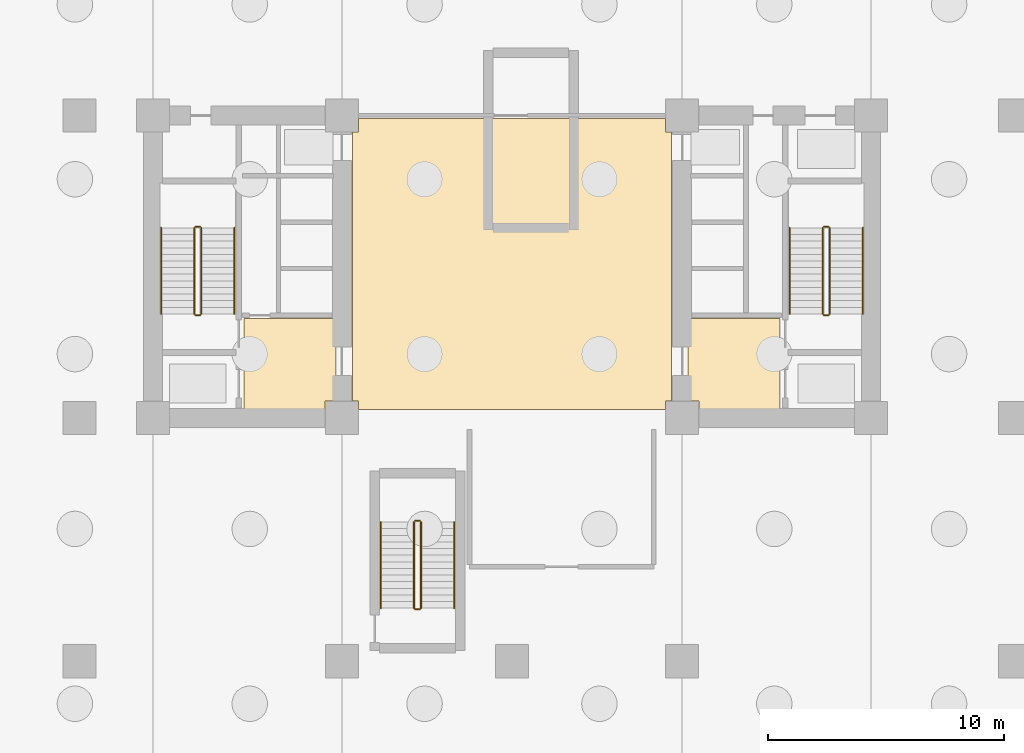
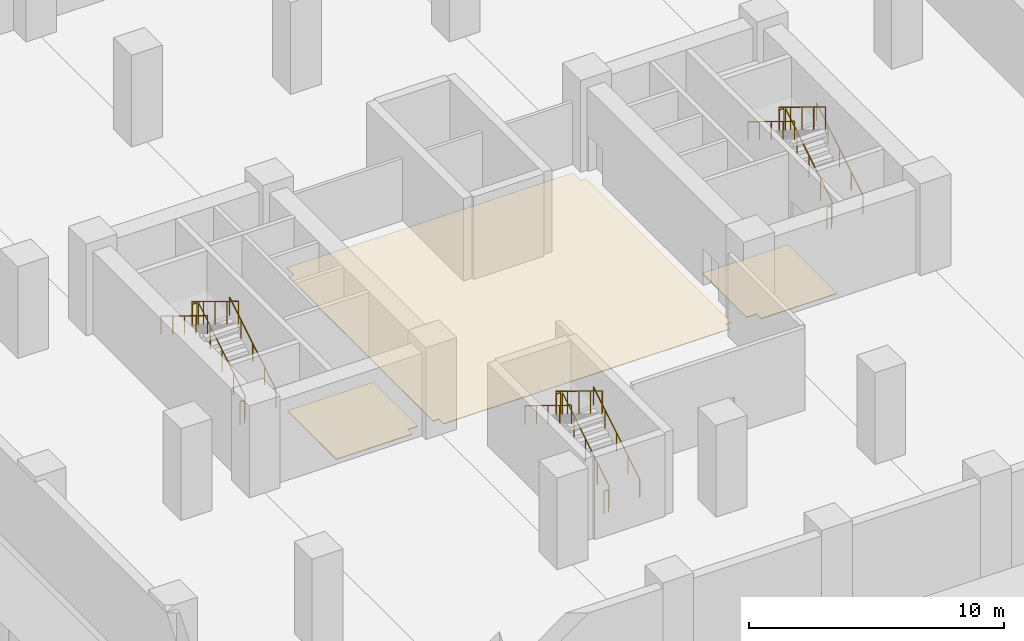
# One storey, part 4 of 6: 18 railings, 3 coverings.
"""IFC4 building model written with IfcOpenShell, lengths in metres."""

from ifc_helpers import new_model, si_unit, direction, frame, origin, origin_2d, place, context, subcontext, project, spatial, polyline, circle, outline, extrude, material, layer, layer_set, type_object, element, save


model = new_model("IFC4")

# Units and contexts
model_context = context("Model", 3, precision=1e-05, world=origin(), true_north=direction((0.0, 1.0)))
body_context = subcontext(model_context, "Body", "Model", "MODEL_VIEW")
ifc_project = project(units=[si_unit("LENGTHUNIT", "METRE"), si_unit("AREAUNIT", "SQUARE_METRE"), si_unit("VOLUMEUNIT", "CUBIC_METRE"), si_unit("PLANEANGLEUNIT", "RADIAN"), si_unit("MASSUNIT", "GRAM", prefix="KILO")], contexts=[model_context])

# Site, building, storey
site_placement = place(None, origin())
site = spatial("IfcSite", under=ifc_project, at=site_placement, CompositionType="ELEMENT")
building_placement = place(site_placement, origin())
building = spatial("IfcBuilding", under=site, at=building_placement, Name="Kranthara Brick Stack", CompositionType="ELEMENT")
storey_placement = place(building_placement, frame((0.0, 0.0, -4.800048828125)))
storey = spatial("IfcBuildingStorey", under=building, at=storey_placement, Name="B01", CompositionType="ELEMENT", Elevation=-4.800048828125)

# Coverings
ifc_material_1 = material(Name="Honed terrazzo and porcelain floor finish", Category="stone")
ifc_layer = layer(ifc_material_1, 0.030029296875)
ifc_layer_set = layer_set([ifc_layer], Name="Honed terrazzo and porcelain floor finish")
covering_type = type_object("IfcCoveringType", Name="COV-FLOR-STONE", PredefinedType="FLOORING", material=ifc_layer_set)
covering_1_placement = place(storey_placement, origin())
element("IfcCovering", 1, at=covering_1_placement, inside=storey, type_object=covering_type, Name="B01 Lift Lobby Stone Flooring", PredefinedType="FLOORING", context=body_context, shape_type="SweptSolid", body=[
    extrude(outline(polyline([(16.64990234375, 21.14990234375), (16.64990234375, 25.0), (20.550048828125, 25.0), (20.550048828125, 21.510009765625), (20.090087890625, 21.510009765625), (20.090087890625, 21.14990234375), (16.64990234375, 21.14990234375)])), origin(), (0.0, 0.0, 1.0), 0.030029296875),
])
covering_2_placement = place(storey_placement, origin())
element("IfcCovering", 2, at=covering_2_placement, inside=storey, type_object=covering_type, Name="B01 Lift Lobby Stone Flooring", PredefinedType="FLOORING", context=body_context, shape_type="SweptSolid", body=[
    extrude(outline(polyline([(35.449951171875, 25.0), (39.35009765625, 25.0), (39.35009765625, 21.14990234375), (35.909912109375, 21.14990234375), (35.909912109375, 21.510009765625), (35.449951171875, 21.510009765625), (35.449951171875, 25.0)])), origin(), (0.0, 0.0, 1.0), 0.030029296875),
])
covering_3_placement = place(storey_placement, origin())
element("IfcCovering", 3, at=covering_3_placement, inside=storey, type_object=covering_type, Name="B01 Lift Lobby Stone Flooring", PredefinedType="FLOORING", context=body_context, shape_type="SweptSolid", body=[
    extrude(outline(polyline([(34.489990234375, 21.510009765625), (34.489990234375, 21.14990234375), (21.510009765625, 21.14990234375), (21.510009765625, 21.510009765625), (21.25, 21.510009765625), (21.25, 32.889892578125), (21.510009765625, 32.889892578125), (21.510009765625, 33.47998046875), (34.489990234375, 33.47998046875), (34.489990234375, 32.889892578125), (34.75, 32.889892578125), (34.75, 21.510009765625), (34.489990234375, 21.510009765625)])), origin(), (0.0, 0.0, 1.0), 0.030029296875),
])

# Railings
ifc_material_2 = material(Name="Painted galvanized steel stair guardrail", Category="steel")
railing_type_1 = type_object("IfcRailingType", Name="RL-STAIR-GUARD-1100", PredefinedType="GUARDRAIL", material=ifc_material_2)
railing_1_placement = place(storey_placement, frame((14.85009765625, 25.199951171875, 0.17138671875)))
element("IfcRailing", 4, at=railing_1_placement, inside=storey, type_object=railing_type_1, Name="B01 ST01 stair guard 1", PredefinedType="GUARDRAIL", context=body_context, shape_type="SweptSolid", body=[
    extrude(circle(Radius=0.02392578125, at=origin_2d()), frame((0.0, 0.0, 1.076171875), z_axis=(0.0, 0.852840387347, 0.522171689878), x_axis=(-1.0, 0.0, 0.0)), (0.0, 0.0, 1.0), 4.268310546875),
    extrude(circle(Radius=0.02099609375, at=origin_2d()), origin(), (0.0, 0.0, 1.0), 1.052001953125),
    extrude(circle(Radius=0.02099609375, at=origin_2d()), frame((0.0, 0.91015625, 0.55712890625)), (0.0, 0.0, 1.0), 1.052001953125),
    extrude(circle(Radius=0.02099609375, at=origin_2d()), frame((0.0, 1.820068359375, 1.1142578125)), (0.0, 0.0, 1.0), 1.052001953125),
    extrude(circle(Radius=0.02099609375, at=origin_2d()), frame((0.0, 2.72998046875, 1.671630859375)), (0.0, 0.0, 1.0), 1.052001953125),
    extrude(circle(Radius=0.02099609375, at=origin_2d()), frame((0.0, 3.64013671875, 2.228759765625)), (0.0, 0.0, 1.0), 1.052001953125),
])
railing_2_placement = place(storey_placement, frame((14.800048828125, 28.889892578125, 2.400146484375)))
element("IfcRailing", 5, at=railing_2_placement, inside=storey, type_object=railing_type_1, Name="B01 ST01 stair guard 2", PredefinedType="GUARDRAIL", context=body_context, shape_type="SweptSolid", body=[
    extrude(circle(Radius=0.02392578125, at=origin_2d()), frame((0.0, 0.0, 1.076171875), z_axis=(-1.0, 0.0, 0.0), x_axis=(0.0, -1.0, 0.0)), (0.0, 0.0, 1.0), 0.199951171875),
    extrude(circle(Radius=0.02099609375, at=origin_2d()), origin(), (0.0, 0.0, 1.0), 1.052001953125),
    extrude(circle(Radius=0.02099609375, at=origin_2d()), frame((-0.199951171875, 0.0, 0.0)), (0.0, 0.0, 1.0), 1.052001953125),
])
railing_3_placement = place(storey_placement, frame((14.550048828125, 28.840087890625, 2.571533203125)))
element("IfcRailing", 6, at=railing_3_placement, inside=storey, type_object=railing_type_1, Name="B01 ST01 stair guard 3", PredefinedType="GUARDRAIL", context=body_context, shape_type="SweptSolid", body=[
    extrude(circle(Radius=0.02392578125, at=origin_2d()), frame((0.0, 0.0, 1.076171875), z_axis=(0.0, -0.852865859571, 0.52213008492), x_axis=(1.0, 0.0, 0.0)), (0.0, 0.0, 1.0), 4.26806640625),
    extrude(circle(Radius=0.02099609375, at=origin_2d()), origin(), (0.0, 0.0, 1.0), 1.052001953125),
    extrude(circle(Radius=0.02099609375, at=origin_2d()), frame((0.0, -0.91015625, 0.55712890625)), (0.0, 0.0, 1.0), 1.052001953125),
    extrude(circle(Radius=0.02099609375, at=origin_2d()), frame((0.0, -1.820068359375, 1.1142578125)), (0.0, 0.0, 1.0), 1.052001953125),
    extrude(circle(Radius=0.02099609375, at=origin_2d()), frame((0.0, -2.72998046875, 1.67138671875)), (0.0, 0.0, 1.0), 1.052001953125),
    extrude(circle(Radius=0.02099609375, at=origin_2d()), frame((0.0, -3.64013671875, 2.228515625)), (0.0, 0.0, 1.0), 1.052001953125),
])
railing_4_placement = place(storey_placement, frame((14.800048828125, 25.14990234375, 0.0)))
element("IfcRailing", 7, at=railing_4_placement, inside=storey, type_object=railing_type_1, Name="B01 ST01 stair guard 4", PredefinedType="GUARDRAIL", context=body_context, shape_type="SweptSolid", body=[
    extrude(circle(Radius=0.02392578125, at=origin_2d()), frame((0.0, 0.0, 1.076171875), z_axis=(-1.0, 0.0, 0.0), x_axis=(0.0, -1.0, 0.0)), (0.0, 0.0, 1.0), 0.199951171875),
    extrude(circle(Radius=0.02099609375, at=origin_2d()), origin(), (0.0, 0.0, 1.0), 1.052001953125),
    extrude(circle(Radius=0.02099609375, at=origin_2d()), frame((-0.199951171875, 0.0, 0.0)), (0.0, 0.0, 1.0), 1.052001953125),
])
railing_5_placement = place(storey_placement, frame((41.449951171875, 25.199951171875, 0.17138671875)))
element("IfcRailing", 8, at=railing_5_placement, inside=storey, type_object=railing_type_1, Name="B01 ST02 stair guard 1", PredefinedType="GUARDRAIL", context=body_context, shape_type="SweptSolid", body=[
    extrude(circle(Radius=0.02392578125, at=origin_2d()), frame((0.0, 0.0, 1.076171875), z_axis=(0.0, 0.852840387347, 0.522171689878), x_axis=(-1.0, 0.0, 0.0)), (0.0, 0.0, 1.0), 4.268310546875),
    extrude(circle(Radius=0.02099609375, at=origin_2d()), origin(), (0.0, 0.0, 1.0), 1.052001953125),
    extrude(circle(Radius=0.02099609375, at=origin_2d()), frame((0.0, 0.91015625, 0.55712890625)), (0.0, 0.0, 1.0), 1.052001953125),
    extrude(circle(Radius=0.02099609375, at=origin_2d()), frame((0.0, 1.820068359375, 1.1142578125)), (0.0, 0.0, 1.0), 1.052001953125),
    extrude(circle(Radius=0.02099609375, at=origin_2d()), frame((0.0, 2.72998046875, 1.671630859375)), (0.0, 0.0, 1.0), 1.052001953125),
    extrude(circle(Radius=0.02099609375, at=origin_2d()), frame((0.0, 3.64013671875, 2.228759765625)), (0.0, 0.0, 1.0), 1.052001953125),
])
railing_6_placement = place(storey_placement, frame((41.39990234375, 28.889892578125, 2.400146484375)))
element("IfcRailing", 9, at=railing_6_placement, inside=storey, type_object=railing_type_1, Name="B01 ST02 stair guard 2", PredefinedType="GUARDRAIL", context=body_context, shape_type="SweptSolid", body=[
    extrude(circle(Radius=0.02392578125, at=origin_2d()), frame((0.0, 0.0, 1.076171875), z_axis=(-1.0, 0.0, 0.0), x_axis=(0.0, -1.0, 0.0)), (0.0, 0.0, 1.0), 0.199951171875),
    extrude(circle(Radius=0.02099609375, at=origin_2d()), origin(), (0.0, 0.0, 1.0), 1.052001953125),
    extrude(circle(Radius=0.02099609375, at=origin_2d()), frame((-0.199951171875, 0.0, 0.0)), (0.0, 0.0, 1.0), 1.052001953125),
])
railing_7_placement = place(storey_placement, frame((41.14990234375, 28.840087890625, 2.571533203125)))
element("IfcRailing", 10, at=railing_7_placement, inside=storey, type_object=railing_type_1, Name="B01 ST02 stair guard 3", PredefinedType="GUARDRAIL", context=body_context, shape_type="SweptSolid", body=[
    extrude(circle(Radius=0.02392578125, at=origin_2d()), frame((0.0, 0.0, 1.076171875), z_axis=(0.0, -0.852865859571, 0.52213008492), x_axis=(1.0, 0.0, 0.0)), (0.0, 0.0, 1.0), 4.26806640625),
    extrude(circle(Radius=0.02099609375, at=origin_2d()), origin(), (0.0, 0.0, 1.0), 1.052001953125),
    extrude(circle(Radius=0.02099609375, at=origin_2d()), frame((0.0, -0.91015625, 0.55712890625)), (0.0, 0.0, 1.0), 1.052001953125),
    extrude(circle(Radius=0.02099609375, at=origin_2d()), frame((0.0, -1.820068359375, 1.1142578125)), (0.0, 0.0, 1.0), 1.052001953125),
    extrude(circle(Radius=0.02099609375, at=origin_2d()), frame((0.0, -2.72998046875, 1.67138671875)), (0.0, 0.0, 1.0), 1.052001953125),
    extrude(circle(Radius=0.02099609375, at=origin_2d()), frame((0.0, -3.64013671875, 2.228515625)), (0.0, 0.0, 1.0), 1.052001953125),
])
railing_8_placement = place(storey_placement, frame((41.39990234375, 25.14990234375, 0.0)))
element("IfcRailing", 11, at=railing_8_placement, inside=storey, type_object=railing_type_1, Name="B01 ST02 stair guard 4", PredefinedType="GUARDRAIL", context=body_context, shape_type="SweptSolid", body=[
    extrude(circle(Radius=0.02392578125, at=origin_2d()), frame((0.0, 0.0, 1.076171875), z_axis=(-1.0, 0.0, 0.0), x_axis=(0.0, -1.0, 0.0)), (0.0, 0.0, 1.0), 0.199951171875),
    extrude(circle(Radius=0.02099609375, at=origin_2d()), origin(), (0.0, 0.0, 1.0), 1.052001953125),
    extrude(circle(Radius=0.02099609375, at=origin_2d()), frame((-0.199951171875, 0.0, 0.0)), (0.0, 0.0, 1.0), 1.052001953125),
])
railing_9_placement = place(storey_placement, frame((24.14990234375, 12.75, 0.17138671875)))
element("IfcRailing", 12, at=railing_9_placement, inside=storey, type_object=railing_type_1, Name="B01 ST03 stair guard 1", PredefinedType="GUARDRAIL", context=body_context, shape_type="SweptSolid", body=[
    extrude(circle(Radius=0.02392578125, at=origin_2d()), frame((0.0, 0.0, 1.076171875), z_axis=(0.0, 0.852824790078, 0.522197163366), x_axis=(-1.0, 0.0, 0.0)), (0.0, 0.0, 1.0), 4.26806640625),
    extrude(circle(Radius=0.02099609375, at=origin_2d()), origin(), (0.0, 0.0, 1.0), 1.052001953125),
    extrude(circle(Radius=0.02099609375, at=origin_2d()), frame((0.0, 0.909912109375, 0.55712890625)), (0.0, 0.0, 1.0), 1.052001953125),
    extrude(circle(Radius=0.02099609375, at=origin_2d()), frame((0.0, 1.81982421875, 1.1142578125)), (0.0, 0.0, 1.0), 1.052001953125),
    extrude(circle(Radius=0.02099609375, at=origin_2d()), frame((0.0, 2.72998046875, 1.671630859375)), (0.0, 0.0, 1.0), 1.052001953125),
    extrude(circle(Radius=0.02099609375, at=origin_2d()), frame((0.0, 3.639892578125, 2.228759765625)), (0.0, 0.0, 1.0), 1.052001953125),
])
railing_10_placement = place(storey_placement, frame((24.10009765625, 16.43994140625, 2.400146484375)))
element("IfcRailing", 13, at=railing_10_placement, inside=storey, type_object=railing_type_1, Name="B01 ST03 stair guard 2", PredefinedType="GUARDRAIL", context=body_context, shape_type="SweptSolid", body=[
    extrude(circle(Radius=0.02392578125, at=origin_2d()), frame((0.0, 0.0, 1.076171875), z_axis=(-1.0, 0.0, 0.0), x_axis=(0.0, -1.0, 0.0)), (0.0, 0.0, 1.0), 0.2001953125),
    extrude(circle(Radius=0.02099609375, at=origin_2d()), origin(), (0.0, 0.0, 1.0), 1.052001953125),
    extrude(circle(Radius=0.02099609375, at=origin_2d()), frame((-0.2001953125, 0.0, 0.0)), (0.0, 0.0, 1.0), 1.052001953125),
])
railing_11_placement = place(storey_placement, frame((23.85009765625, 16.389892578125, 2.571533203125)))
element("IfcRailing", 14, at=railing_11_placement, inside=storey, type_object=railing_type_1, Name="B01 ST03 stair guard 3", PredefinedType="GUARDRAIL", context=body_context, shape_type="SweptSolid", body=[
    extrude(circle(Radius=0.02392578125, at=origin_2d()), frame((0.0, 0.0, 1.076171875), z_axis=(0.0, -0.852850264322, 0.5221555579), x_axis=(1.0, 0.0, 0.0)), (0.0, 0.0, 1.0), 4.267822265625),
    extrude(circle(Radius=0.02099609375, at=origin_2d()), origin(), (0.0, 0.0, 1.0), 1.052001953125),
    extrude(circle(Radius=0.02099609375, at=origin_2d()), frame((0.0, -0.909912109375, 0.55712890625)), (0.0, 0.0, 1.0), 1.052001953125),
    extrude(circle(Radius=0.02099609375, at=origin_2d()), frame((0.0, -1.81982421875, 1.1142578125)), (0.0, 0.0, 1.0), 1.052001953125),
    extrude(circle(Radius=0.02099609375, at=origin_2d()), frame((0.0, -2.72998046875, 1.67138671875)), (0.0, 0.0, 1.0), 1.052001953125),
    extrude(circle(Radius=0.02099609375, at=origin_2d()), frame((0.0, -3.639892578125, 2.228515625)), (0.0, 0.0, 1.0), 1.052001953125),
])
railing_12_placement = place(storey_placement, frame((24.10009765625, 12.699951171875, 0.0)))
element("IfcRailing", 15, at=railing_12_placement, inside=storey, type_object=railing_type_1, Name="B01 ST03 stair guard 4", PredefinedType="GUARDRAIL", context=body_context, shape_type="SweptSolid", body=[
    extrude(circle(Radius=0.02392578125, at=origin_2d()), frame((0.0, 0.0, 1.076171875), z_axis=(-1.0, 0.0, 0.0), x_axis=(0.0, -1.0, 0.0)), (0.0, 0.0, 1.0), 0.2001953125),
    extrude(circle(Radius=0.02099609375, at=origin_2d()), origin(), (0.0, 0.0, 1.0), 1.052001953125),
    extrude(circle(Radius=0.02099609375, at=origin_2d()), frame((-0.2001953125, 0.0, 0.0)), (0.0, 0.0, 1.0), 1.052001953125),
])
ifc_material_3 = material(Name="Brushed stainless steel tubular handrail", Category="steel")
railing_type_2 = type_object("IfcRailingType", Name="RL-STAIR-HAND-900", PredefinedType="HANDRAIL", material=ifc_material_3)
railing_13_placement = place(storey_placement, frame((16.25, 25.199951171875, 0.17138671875)))
element("IfcRailing", 16, at=railing_13_placement, inside=storey, type_object=railing_type_2, Name="B01 ST01 stair handrail 1", PredefinedType="HANDRAIL", context=body_context, shape_type="SweptSolid", body=[
    extrude(circle(Radius=0.02392578125, at=origin_2d()), frame((0.0, 0.0, 0.8759765625), z_axis=(0.0, 0.852840387347, 0.522171689878), x_axis=(-1.0, 0.0, 0.0)), (0.0, 0.0, 1.0), 4.268310546875),
    extrude(circle(Radius=0.02099609375, at=origin_2d()), origin(), (0.0, 0.0, 1.0), 0.851806640625),
    extrude(circle(Radius=0.02099609375, at=origin_2d()), frame((0.0, 0.91015625, 0.55712890625)), (0.0, 0.0, 1.0), 0.851806640625),
    extrude(circle(Radius=0.02099609375, at=origin_2d()), frame((0.0, 1.820068359375, 1.1142578125)), (0.0, 0.0, 1.0), 0.851806640625),
    extrude(circle(Radius=0.02099609375, at=origin_2d()), frame((0.0, 2.72998046875, 1.671630859375)), (0.0, 0.0, 1.0), 0.851806640625),
    extrude(circle(Radius=0.02099609375, at=origin_2d()), frame((0.0, 3.64013671875, 2.228759765625)), (0.0, 0.0, 1.0), 0.851806640625),
])
railing_14_placement = place(storey_placement, frame((13.14990234375, 28.840087890625, 2.571533203125)))
element("IfcRailing", 17, at=railing_14_placement, inside=storey, type_object=railing_type_2, Name="B01 ST01 stair handrail 2", PredefinedType="HANDRAIL", context=body_context, shape_type="SweptSolid", body=[
    extrude(circle(Radius=0.02392578125, at=origin_2d()), frame((0.0, 0.0, 0.8759765625), z_axis=(0.0, -0.852865859571, 0.52213008492), x_axis=(1.0, 0.0, 0.0)), (0.0, 0.0, 1.0), 4.26806640625),
    extrude(circle(Radius=0.02099609375, at=origin_2d()), origin(), (0.0, 0.0, 1.0), 0.851806640625),
    extrude(circle(Radius=0.02099609375, at=origin_2d()), frame((0.0, -0.91015625, 0.55712890625)), (0.0, 0.0, 1.0), 0.851806640625),
    extrude(circle(Radius=0.02099609375, at=origin_2d()), frame((0.0, -1.820068359375, 1.1142578125)), (0.0, 0.0, 1.0), 0.851806640625),
    extrude(circle(Radius=0.02099609375, at=origin_2d()), frame((0.0, -2.72998046875, 1.67138671875)), (0.0, 0.0, 1.0), 0.851806640625),
    extrude(circle(Radius=0.02099609375, at=origin_2d()), frame((0.0, -3.64013671875, 2.228515625)), (0.0, 0.0, 1.0), 0.851806640625),
])
railing_15_placement = place(storey_placement, frame((42.85009765625, 25.199951171875, 0.17138671875)))
element("IfcRailing", 18, at=railing_15_placement, inside=storey, type_object=railing_type_2, Name="B01 ST02 stair handrail 1", PredefinedType="HANDRAIL", context=body_context, shape_type="SweptSolid", body=[
    extrude(circle(Radius=0.02392578125, at=origin_2d()), frame((0.0, 0.0, 0.8759765625), z_axis=(0.0, 0.852840387347, 0.522171689878), x_axis=(-1.0, 0.0, 0.0)), (0.0, 0.0, 1.0), 4.268310546875),
    extrude(circle(Radius=0.02099609375, at=origin_2d()), origin(), (0.0, 0.0, 1.0), 0.851806640625),
    extrude(circle(Radius=0.02099609375, at=origin_2d()), frame((0.0, 0.91015625, 0.55712890625)), (0.0, 0.0, 1.0), 0.851806640625),
    extrude(circle(Radius=0.02099609375, at=origin_2d()), frame((0.0, 1.820068359375, 1.1142578125)), (0.0, 0.0, 1.0), 0.851806640625),
    extrude(circle(Radius=0.02099609375, at=origin_2d()), frame((0.0, 2.72998046875, 1.671630859375)), (0.0, 0.0, 1.0), 0.851806640625),
    extrude(circle(Radius=0.02099609375, at=origin_2d()), frame((0.0, 3.64013671875, 2.228759765625)), (0.0, 0.0, 1.0), 0.851806640625),
])
railing_16_placement = place(storey_placement, frame((39.75, 28.840087890625, 2.571533203125)))
element("IfcRailing", 19, at=railing_16_placement, inside=storey, type_object=railing_type_2, Name="B01 ST02 stair handrail 2", PredefinedType="HANDRAIL", context=body_context, shape_type="SweptSolid", body=[
    extrude(circle(Radius=0.02392578125, at=origin_2d()), frame((0.0, 0.0, 0.8759765625), z_axis=(0.0, -0.852865859571, 0.52213008492), x_axis=(1.0, 0.0, 0.0)), (0.0, 0.0, 1.0), 4.26806640625),
    extrude(circle(Radius=0.02099609375, at=origin_2d()), origin(), (0.0, 0.0, 1.0), 0.851806640625),
    extrude(circle(Radius=0.02099609375, at=origin_2d()), frame((0.0, -0.91015625, 0.55712890625)), (0.0, 0.0, 1.0), 0.851806640625),
    extrude(circle(Radius=0.02099609375, at=origin_2d()), frame((0.0, -1.820068359375, 1.1142578125)), (0.0, 0.0, 1.0), 0.851806640625),
    extrude(circle(Radius=0.02099609375, at=origin_2d()), frame((0.0, -2.72998046875, 1.67138671875)), (0.0, 0.0, 1.0), 0.851806640625),
    extrude(circle(Radius=0.02099609375, at=origin_2d()), frame((0.0, -3.64013671875, 2.228515625)), (0.0, 0.0, 1.0), 0.851806640625),
])
railing_17_placement = place(storey_placement, frame((25.550048828125, 12.75, 0.17138671875)))
element("IfcRailing", 20, at=railing_17_placement, inside=storey, type_object=railing_type_2, Name="B01 ST03 stair handrail 1", PredefinedType="HANDRAIL", context=body_context, shape_type="SweptSolid", body=[
    extrude(circle(Radius=0.02392578125, at=origin_2d()), frame((0.0, 0.0, 0.8759765625), z_axis=(0.0, 0.852824790078, 0.522197163366), x_axis=(-1.0, 0.0, 0.0)), (0.0, 0.0, 1.0), 4.26806640625),
    extrude(circle(Radius=0.02099609375, at=origin_2d()), origin(), (0.0, 0.0, 1.0), 0.851806640625),
    extrude(circle(Radius=0.02099609375, at=origin_2d()), frame((0.0, 0.909912109375, 0.55712890625)), (0.0, 0.0, 1.0), 0.851806640625),
    extrude(circle(Radius=0.02099609375, at=origin_2d()), frame((0.0, 1.81982421875, 1.1142578125)), (0.0, 0.0, 1.0), 0.851806640625),
    extrude(circle(Radius=0.02099609375, at=origin_2d()), frame((0.0, 2.72998046875, 1.671630859375)), (0.0, 0.0, 1.0), 0.851806640625),
    extrude(circle(Radius=0.02099609375, at=origin_2d()), frame((0.0, 3.639892578125, 2.228759765625)), (0.0, 0.0, 1.0), 0.851806640625),
])
railing_18_placement = place(storey_placement, frame((22.449951171875, 16.389892578125, 2.571533203125)))
element("IfcRailing", 21, at=railing_18_placement, inside=storey, type_object=railing_type_2, Name="B01 ST03 stair handrail 2", PredefinedType="HANDRAIL", context=body_context, shape_type="SweptSolid", body=[
    extrude(circle(Radius=0.02392578125, at=origin_2d()), frame((0.0, 0.0, 0.8759765625), z_axis=(0.0, -0.852850264322, 0.5221555579), x_axis=(1.0, 0.0, 0.0)), (0.0, 0.0, 1.0), 4.267822265625),
    extrude(circle(Radius=0.02099609375, at=origin_2d()), origin(), (0.0, 0.0, 1.0), 0.851806640625),
    extrude(circle(Radius=0.02099609375, at=origin_2d()), frame((0.0, -0.909912109375, 0.55712890625)), (0.0, 0.0, 1.0), 0.851806640625),
    extrude(circle(Radius=0.02099609375, at=origin_2d()), frame((0.0, -1.81982421875, 1.1142578125)), (0.0, 0.0, 1.0), 0.851806640625),
    extrude(circle(Radius=0.02099609375, at=origin_2d()), frame((0.0, -2.72998046875, 1.67138671875)), (0.0, 0.0, 1.0), 0.851806640625),
    extrude(circle(Radius=0.02099609375, at=origin_2d()), frame((0.0, -3.639892578125, 2.228515625)), (0.0, 0.0, 1.0), 0.851806640625),
])

save(model, "model.ifc")
